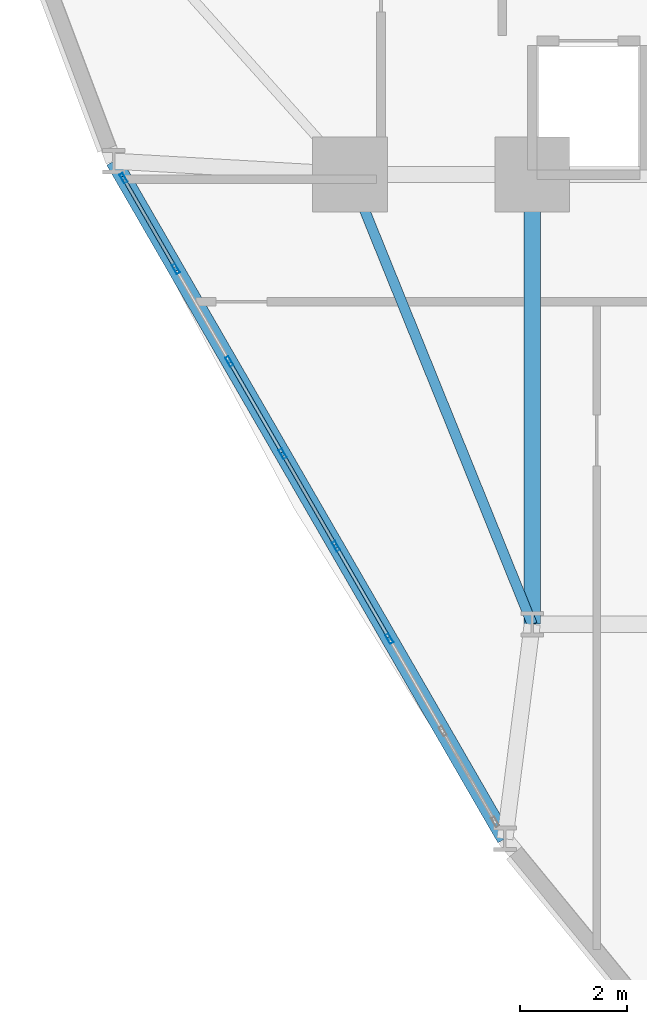
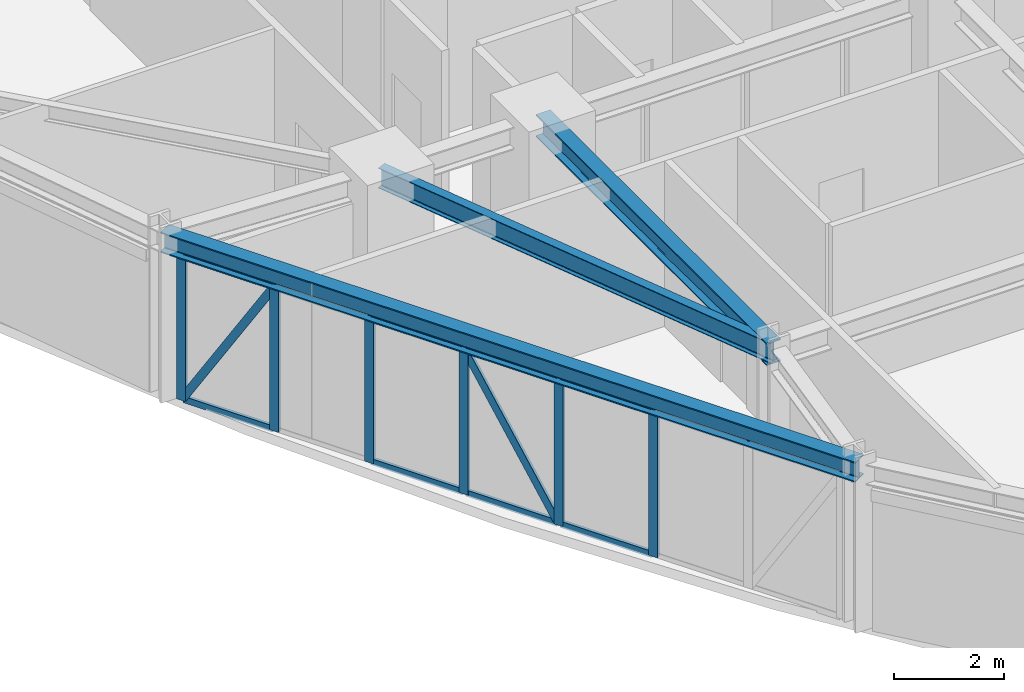
# One storey, part 4 of 20: 16 members, 3 beams, 1 element without a shape of its own.
"""IFC4 building model written with IfcOpenShell, lengths in metres."""

from ifc_helpers import new_model, si_unit, derived_unit, direction, frame, origin, origin_2d, place, context, subcontext, project, spatial, hollow_rectangle, i_section, extrude, source, transform, mapped, material, layer, layer_set, material_profile, profile_set, type_object, element, aggregate, save


model = new_model("IFC4")

# Units and contexts
model_context = context("Model", 3, precision=1e-05, world=origin(), true_north=direction((0.0, 1.0)))
body_context = subcontext(model_context, "Body", "Model", "MODEL_VIEW")
ifc_project = project(units=[si_unit("LENGTHUNIT", "METRE"), si_unit("AREAUNIT", "SQUARE_METRE"), si_unit("VOLUMEUNIT", "CUBIC_METRE"), si_unit("PLANEANGLEUNIT", "RADIAN"), si_unit("MASSUNIT", "GRAM", prefix="KILO"), derived_unit("THERMALTRANSMITTANCEUNIT", [(si_unit("POWERUNIT", "WATT"), 1), (si_unit("LENGTHUNIT", "METRE"), -2), (si_unit("THERMODYNAMICTEMPERATUREUNIT", "KELVIN"), -1)])], contexts=[model_context])

# Site, building, storey
site_placement = place(None, origin())
site = spatial("IfcSite", under=ifc_project, at=site_placement, CompositionType="ELEMENT")
building_placement = place(site_placement, origin())
building = spatial("IfcBuilding", under=site, at=building_placement, Name="Korsvarv Bourse and Concert Hall", CompositionType="ELEMENT")
storey_placement = place(building_placement, frame((0.0, 0.0, 87.300048828125)))
storey = spatial("IfcBuildingStorey", under=building, at=storey_placement, Name="L21", CompositionType="ELEMENT", Elevation=87.300048828125)

# Beams
ifc_material_1 = material(Name="Steel S355", Category="steel")
ifc_material_profile_1 = material_profile(ifc_material_1, i_section(OverallWidth=0.300048828125, OverallDepth=0.5, WebThickness=0.014404296875, FlangeThickness=0.028076171875, FilletRadius=0.02392578125, at=origin_2d()), Name="HEB 500")
ifc_profile_set_1 = profile_set([ifc_material_profile_1], Name="Steel S355")
beam_type_1 = type_object("IfcBeamType", Name="BM-HEB500", PredefinedType="BEAM", material=ifc_profile_set_1)
shared_shape_1 = source(origin(), body_context, "Body", "SweptSolid", [
    extrude(i_section(OverallWidth=0.300048828125, OverallDepth=0.5, WebThickness=0.014404296875, FlangeThickness=0.028076171875, FilletRadius=0.02392578125, at=origin_2d()), origin(), (0.0, 0.0, 1.0), 8.39990234375),
])
beam_1_placement = place(storey_placement, frame((27.60009765625, 24.0, 3.429931640625), z_axis=(0.0, 1.0, 0.0), x_axis=(-1.0, 0.0, 0.0)))
element("IfcBeam", 1, at=beam_1_placement, inside=storey, type_object=beam_type_1, Name="L21 beam B-07", PredefinedType="BEAM", context=body_context, shape_type="MappedRepresentation", body=[
    mapped(shared_shape_1, transform((0.0, 0.0, 0.0), scale=1.0)),
])
ifc_material_profile_2 = material_profile(ifc_material_1, i_section(OverallWidth=0.18994140625, OverallDepth=0.449951171875, WebThickness=0.009521484375, FlangeThickness=0.0146484375, FilletRadius=0.02099609375, at=origin_2d()), Name="IPE 450")
ifc_profile_set_2 = profile_set([ifc_material_profile_2], Name="Steel S355")
beam_type_2 = type_object("IfcBeamType", Name="BM-IPE450", PredefinedType="JOIST", material=ifc_profile_set_2)
shared_shape_2 = source(origin(), body_context, "Body", "SweptSolid", [
    extrude(i_section(OverallWidth=0.18994140625, OverallDepth=0.449951171875, WebThickness=0.009521484375, FlangeThickness=0.0146484375, FilletRadius=0.02099609375, at=origin_2d()), origin(), (0.0, 0.0, 1.0), 9.06201171875),
])
beam_2_placement = place(storey_placement, frame((24.199951171875, 32.39990234375, 3.454833984375), z_axis=(0.375210394783, -0.926939674222, 0.0), x_axis=(0.926939674222, 0.375210394783, 0.0)))
element("IfcBeam", 2, at=beam_2_placement, inside=storey, type_object=beam_type_2, Name="L21 beam J-04", PredefinedType="JOIST", context=body_context, shape_type="MappedRepresentation", body=[
    mapped(shared_shape_2, transform((0.0, 0.0, 0.0), scale=1.0)),
])
ifc_material_profile_3 = material_profile(ifc_material_1, i_section(OverallWidth=0.300048828125, OverallDepth=0.449951171875, WebThickness=0.013916015625, FlangeThickness=0.02587890625, FilletRadius=0.02099609375, at=origin_2d()), Name="HEB 450")
ifc_profile_set_3 = profile_set([ifc_material_profile_3], Name="Steel S355")
beam_type_3 = type_object("IfcBeamType", Name="BM-HEB450", PredefinedType="SPANDREL", material=ifc_profile_set_3)
shared_shape_3 = source(origin(), body_context, "Body", "SweptSolid", [
    extrude(i_section(OverallWidth=0.300048828125, OverallDepth=0.449951171875, WebThickness=0.013916015625, FlangeThickness=0.02587890625, FilletRadius=0.02099609375, at=origin_2d()), origin(), (0.0, 0.0, 1.0), 14.6181640625),
])
beam_3_placement = place(storey_placement, frame((19.781005859375, 32.65087890625, 3.454833984375), z_axis=(0.500000991318, -0.866024831446, 0.0), x_axis=(0.866024831446, 0.500000991318, 0.0)))
element("IfcBeam", 3, at=beam_3_placement, inside=storey, type_object=beam_type_3, Name="L21 beam B-08", PredefinedType="SPANDREL", context=body_context, shape_type="MappedRepresentation", body=[
    mapped(shared_shape_3, transform((0.0, 0.0, 0.0), scale=1.0)),
])

# Curtain wall, members
ifc_material_2 = material(Name="Anodised aluminium and triple low-E glazing", Category="glass")
ifc_layer = layer(ifc_material_2, 0.219970703125)
ifc_layer_set = layer_set([ifc_layer], Name="Anodised aluminium and triple low-E glazing")
curtain_wall_type = type_object("IfcCurtainWallType", Name="CW-SYS-1", PredefinedType="NOTDEFINED", material=ifc_layer_set)
curtain_wall_placement = place(storey_placement, origin())
curtain_wall = element("IfcCurtainWall", 4, at=curtain_wall_placement, inside=storey, type_object=curtain_wall_type, Name="L21 CW1 curtain wall CW-L21-F07", PredefinedType="NOTDEFINED")
ifc_material_3 = material(Name="Extruded aluminium EN AW-6063 T66", Category="aluminium")
ifc_material_profile_4 = material_profile(ifc_material_3, hollow_rectangle(XDim=0.070068359375, YDim=0.18994140625, WallThickness=0.0048828125, at=origin_2d()), Name="ALU-M 70x190")
ifc_profile_set_4 = profile_set([ifc_material_profile_4], Name="Extruded aluminium EN AW-6063 T66")
member_type_1 = type_object("IfcMemberType", Name="CWM-190", PredefinedType="MULLION", material=ifc_profile_set_4)
shared_shape_4 = source(origin(), body_context, "Body", "SweptSolid", [
    extrude(hollow_rectangle(XDim=0.070068359375, YDim=0.18994140625, WallThickness=0.0048828125, at=origin_2d()), origin(), (0.0, 0.0, 1.0), 3.22998046875),
])
member_1_placement = place(storey_placement, frame((19.96435546875, 32.33349609375, 0.0), z_axis=(0.0, 0.0, 1.0), x_axis=(0.8660261613, 0.499998687942, 0.0)))
member_1 = element("IfcMember", 5, at=member_1_placement, type_object=member_type_1, Name="CW1 mullion 1", PredefinedType="MULLION", context=body_context, shape_type="MappedRepresentation", body=[
    mapped(shared_shape_4, transform((0.0, 0.0, 0.0), scale=1.0)),
])
member_2_placement = place(storey_placement, frame((20.943603515625, 30.637451171875, 0.0), z_axis=(0.0, 0.0, 1.0), x_axis=(0.8660261613, 0.499998687942, 0.0)))
member_2 = element("IfcMember", 6, at=member_2_placement, type_object=member_type_1, Name="CW1 mullion 2", PredefinedType="MULLION", context=body_context, shape_type="MappedRepresentation", body=[
    mapped(shared_shape_4, transform((0.0, 0.0, 0.0), scale=1.0)),
])
member_3_placement = place(storey_placement, frame((21.9404296875, 28.910888671875, 0.0), z_axis=(0.0, 0.0, 1.0), x_axis=(0.8660261613, 0.499998687942, 0.0)))
member_3 = element("IfcMember", 7, at=member_3_placement, type_object=member_type_1, Name="CW1 mullion 3", PredefinedType="MULLION", context=body_context, shape_type="MappedRepresentation", body=[
    mapped(shared_shape_4, transform((0.0, 0.0, 0.0), scale=1.0)),
])
member_4_placement = place(storey_placement, frame((22.937255859375, 27.184326171875, 0.0), z_axis=(0.0, 0.0, 1.0), x_axis=(0.8660261613, 0.499998687942, 0.0)))
member_4 = element("IfcMember", 8, at=member_4_placement, type_object=member_type_1, Name="CW1 mullion 4", PredefinedType="MULLION", context=body_context, shape_type="MappedRepresentation", body=[
    mapped(shared_shape_4, transform((0.0, 0.0, 0.0), scale=1.0)),
])
member_5_placement = place(storey_placement, frame((23.93408203125, 25.457763671875, 0.0), z_axis=(0.0, 0.0, 1.0), x_axis=(0.8660261613, 0.499998687942, 0.0)))
member_5 = element("IfcMember", 9, at=member_5_placement, type_object=member_type_1, Name="CW1 mullion 5", PredefinedType="MULLION", context=body_context, shape_type="MappedRepresentation", body=[
    mapped(shared_shape_4, transform((0.0, 0.0, 0.0), scale=1.0)),
])
member_6_placement = place(storey_placement, frame((24.930908203125, 23.7314453125, 0.0), z_axis=(0.0, 0.0, 1.0), x_axis=(0.8660261613, 0.499998687942, 0.0)))
member_6 = element("IfcMember", 10, at=member_6_placement, type_object=member_type_1, Name="CW1 mullion 6", PredefinedType="MULLION", context=body_context, shape_type="MappedRepresentation", body=[
    mapped(shared_shape_4, transform((0.0, 0.0, 0.0), scale=1.0)),
])
ifc_material_profile_5 = material_profile(ifc_material_3, hollow_rectangle(XDim=0.06494140625, YDim=0.139892578125, WallThickness=0.00390625, at=origin_2d()), Name="ALU-T 65x140")
ifc_profile_set_5 = profile_set([ifc_material_profile_5], Name="Extruded aluminium EN AW-6063 T66")
member_type_2 = type_object("IfcMemberType", Name="CWT-140", PredefinedType="USERDEFINED", material=ifc_profile_set_5)
shared_shape_5 = source(origin(), body_context, "Body", "SweptSolid", [
    extrude(hollow_rectangle(XDim=0.06494140625, YDim=0.139892578125, WallThickness=0.00390625, at=origin_2d()), origin(), (0.0, 0.0, 1.0), 1.888671875),
])
member_7_placement = place(storey_placement, frame((19.981689453125, 32.30322265625, 0.032470703125), z_axis=(0.500032047992, -0.866006900077, 0.0), x_axis=(0.866006900077, 0.500032047992, 0.0)))
member_7 = element("IfcMember", 11, at=member_7_placement, type_object=member_type_2, Name="CW1 transom 1.1", ObjectType="TRANSOM", PredefinedType="USERDEFINED", context=body_context, shape_type="MappedRepresentation", body=[
    mapped(shared_shape_5, transform((0.0, 0.0, 0.0), scale=1.0)),
])
member_8_placement = place(storey_placement, frame((19.981689453125, 32.30322265625, 3.197509765625), z_axis=(0.500032047992, -0.866006900077, 0.0), x_axis=(0.866006900077, 0.500032047992, 0.0)))
member_8 = element("IfcMember", 12, at=member_8_placement, type_object=member_type_2, Name="CW1 transom 1.2", ObjectType="TRANSOM", PredefinedType="USERDEFINED", context=body_context, shape_type="MappedRepresentation", body=[
    mapped(shared_shape_5, transform((0.0, 0.0, 0.0), scale=1.0)),
])
ifc_material_profile_6 = material_profile(ifc_material_3, hollow_rectangle(XDim=0.06494140625, YDim=0.1650390625, WallThickness=0.0048828125, at=origin_2d()), Name="ALU-M 65x165")
ifc_profile_set_6 = profile_set([ifc_material_profile_6], Name="Extruded aluminium EN AW-6063 T66")
member_type_3 = type_object("IfcMemberType", Name="CWM-165", PredefinedType="MULLION", material=ifc_profile_set_6)
shared_shape_6 = source(origin(), body_context, "Body", "SweptSolid", [
    extrude(hollow_rectangle(XDim=0.06494140625, YDim=0.1650390625, WallThickness=0.0048828125, at=origin_2d()), origin(), (0.0, 0.0, 1.0), 3.630126953125),
])
member_9_placement = place(storey_placement, frame((19.981689453125, 32.30322265625, 0.06494140625), z_axis=(0.260144386636, -0.450544789575, 0.854010708767), x_axis=(0.866006900077, 0.500032047992, 0.0)))
member_9 = element("IfcMember", 13, at=member_9_placement, type_object=member_type_3, Name="CW1 diagonal mullion 1", PredefinedType="MULLION", context=body_context, shape_type="MappedRepresentation", body=[
    mapped(shared_shape_6, transform((0.0, 0.0, 0.0), scale=1.0)),
])
shared_shape_7 = source(origin(), body_context, "Body", "SweptSolid", [
    extrude(hollow_rectangle(XDim=0.06494140625, YDim=0.139892578125, WallThickness=0.00390625, at=origin_2d()), origin(), (0.0, 0.0, 1.0), 1.923583984375),
])
member_10_placement = place(storey_placement, frame((21.9580078125, 28.880615234375, 0.032470703125), z_axis=(0.499920208923, -0.866071466283, 0.0), x_axis=(0.866071466283, 0.499920208923, 0.0)))
member_10 = element("IfcMember", 14, at=member_10_placement, type_object=member_type_2, Name="CW1 transom 3.1", ObjectType="TRANSOM", PredefinedType="USERDEFINED", context=body_context, shape_type="MappedRepresentation", body=[
    mapped(shared_shape_7, transform((0.0, 0.0, 0.0), scale=1.0)),
])
member_11_placement = place(storey_placement, frame((21.9580078125, 28.880615234375, 3.197509765625), z_axis=(0.499920208923, -0.866071466283, 0.0), x_axis=(0.866071466283, 0.499920208923, 0.0)))
member_11 = element("IfcMember", 15, at=member_11_placement, type_object=member_type_2, Name="CW1 transom 3.2", ObjectType="TRANSOM", PredefinedType="USERDEFINED", context=body_context, shape_type="MappedRepresentation", body=[
    mapped(shared_shape_7, transform((0.0, 0.0, 0.0), scale=1.0)),
])
member_12_placement = place(storey_placement, frame((23.951416015625, 25.427490234375, 0.032470703125), z_axis=(0.500070355328, -0.865984780306, 0.0), x_axis=(0.865984780306, 0.500070355328, 0.0)))
member_12 = element("IfcMember", 16, at=member_12_placement, type_object=member_type_2, Name="CW1 transom 5.1", ObjectType="TRANSOM", PredefinedType="USERDEFINED", context=body_context, shape_type="MappedRepresentation", body=[
    mapped(shared_shape_7, transform((0.0, 0.0, 0.0), scale=1.0)),
])
member_13_placement = place(storey_placement, frame((23.951416015625, 25.427490234375, 3.197509765625), z_axis=(0.500070355328, -0.865984780306, 0.0), x_axis=(0.865984780306, 0.500070355328, 0.0)))
member_13 = element("IfcMember", 17, at=member_13_placement, type_object=member_type_2, Name="CW1 transom 5.2", ObjectType="TRANSOM", PredefinedType="USERDEFINED", context=body_context, shape_type="MappedRepresentation", body=[
    mapped(shared_shape_7, transform((0.0, 0.0, 0.0), scale=1.0)),
])
shared_shape_8 = source(origin(), body_context, "Body", "SweptSolid", [
    extrude(hollow_rectangle(XDim=0.06494140625, YDim=0.139892578125, WallThickness=0.00390625, at=origin_2d()), origin(), (0.0, 0.0, 1.0), 1.923828125),
])
member_14_placement = place(storey_placement, frame((22.95458984375, 27.154052734375, 0.032470703125), z_axis=(0.500015396624, -0.866016514357, 0.0), x_axis=(0.866016514357, 0.500015396624, 0.0)))
member_14 = element("IfcMember", 18, at=member_14_placement, type_object=member_type_2, Name="CW1 transom 4.1", ObjectType="TRANSOM", PredefinedType="USERDEFINED", context=body_context, shape_type="MappedRepresentation", body=[
    mapped(shared_shape_8, transform((0.0, 0.0, 0.0), scale=1.0)),
])
member_15_placement = place(storey_placement, frame((22.95458984375, 27.154052734375, 3.197509765625), z_axis=(0.500015396624, -0.866016514357, 0.0), x_axis=(0.866016514357, 0.500015396624, 0.0)))
member_15 = element("IfcMember", 19, at=member_15_placement, type_object=member_type_2, Name="CW1 transom 4.2", ObjectType="TRANSOM", PredefinedType="USERDEFINED", context=body_context, shape_type="MappedRepresentation", body=[
    mapped(shared_shape_8, transform((0.0, 0.0, 0.0), scale=1.0)),
])
shared_shape_9 = source(origin(), body_context, "Body", "SweptSolid", [
    extrude(hollow_rectangle(XDim=0.06494140625, YDim=0.1650390625, WallThickness=0.0048828125, at=origin_2d()), origin(), (0.0, 0.0, 1.0), 3.6484375),
])
member_16_placement = place(storey_placement, frame((23.91650390625, 25.488037109375, 0.06494140625), z_axis=(-0.263647041796, 0.456631323152, 0.849692928103), x_axis=(-0.866016514357, -0.500015396624, 0.0)))
member_16 = element("IfcMember", 20, at=member_16_placement, type_object=member_type_3, Name="CW1 diagonal mullion 4", PredefinedType="MULLION", context=body_context, shape_type="MappedRepresentation", body=[
    mapped(shared_shape_9, transform((0.0, 0.0, 0.0), scale=1.0)),
])
aggregate(curtain_wall, [member_1, member_2, member_3, member_4, member_5, member_6, member_7, member_8, member_9, member_10, member_11, member_14, member_15, member_16, member_12, member_13])

save(model, "model.ifc")
